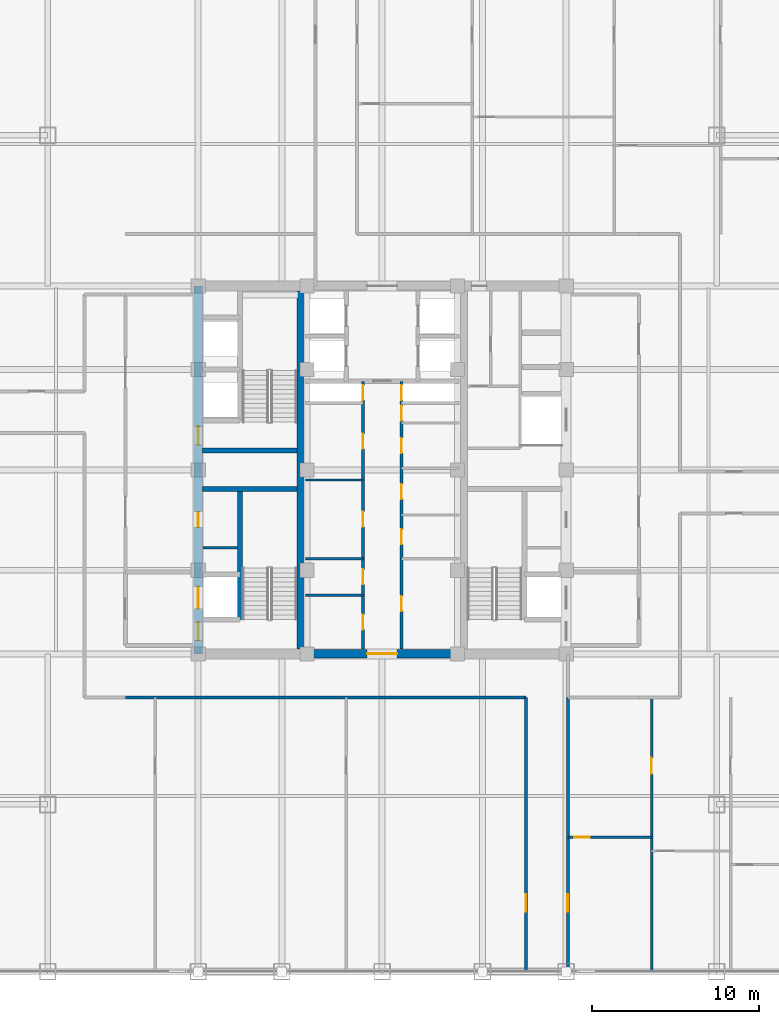
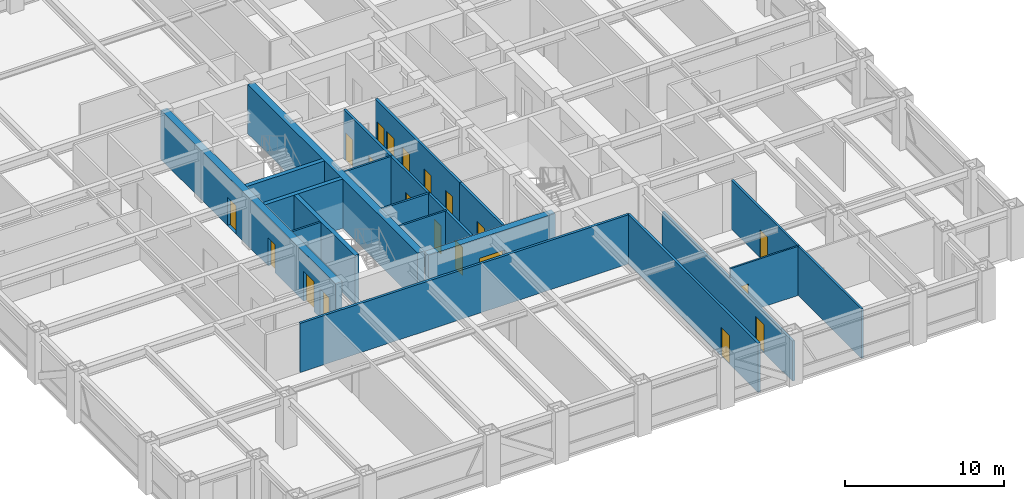
# One storey, part 20 of 25: 20 doors, 19 walls, 20 openings.
"""IFC4 building model written with IfcOpenShell, lengths in metres."""

from ifc_helpers import new_model, si_unit, direction, frame, frame_2d, origin, place, context, subcontext, project, spatial, rectangle, extrude, source, transform, mapped, material, layer, layer_set, type_object, element, fill, save


model = new_model("IFC4")

# Units and contexts
model_context = context("Model", 3, precision=1e-05, world=origin(), true_north=direction((0.0, 1.0)))
body_context = subcontext(model_context, "Body", "Model", "MODEL_VIEW")
ifc_project = project(units=[si_unit("LENGTHUNIT", "METRE"), si_unit("AREAUNIT", "SQUARE_METRE"), si_unit("VOLUMEUNIT", "CUBIC_METRE"), si_unit("PLANEANGLEUNIT", "RADIAN"), si_unit("MASSUNIT", "GRAM", prefix="KILO")], contexts=[model_context])

# Site, building, storey
site_placement = place(None, origin())
site = spatial("IfcSite", under=ifc_project, at=site_placement, CompositionType="ELEMENT")
building_placement = place(site_placement, origin())
building = spatial("IfcBuilding", under=site, at=building_placement, Name="Khorayat Bourse Tower", CompositionType="ELEMENT")
storey_placement = place(building_placement, frame((0.0, 0.0, 247.10009765625)))
storey = spatial("IfcBuildingStorey", under=building, at=storey_placement, Name="L58", CompositionType="ELEMENT", Elevation=247.10009765625)

# Wall
ifc_material_1 = material(Name="Concrete C52/65", Category="concrete")
ifc_layer_1 = layer(ifc_material_1, 0.5)
ifc_layer_set_1 = layer_set([ifc_layer_1], Name="Concrete C52/65")
wall_type_1 = type_object("IfcWallType", Name="WAL-CORE-500", PredefinedType="SHEAR", material=ifc_layer_set_1)
shared_shape_1 = source(origin(), body_context, "Body", "SweptSolid", [
    extrude(rectangle(XDim=21.39990234375, YDim=0.5, at=frame_2d((10.699951171875, 0.0))), origin(), (0.0, 0.0, 1.0), 3.77978515625),
])
wall_1_placement = place(storey_placement, frame((-4.85009765625, -10.699951171875, 0.0), z_axis=(0.0, 0.0, 1.0), x_axis=(0.0, 1.0, 0.0)))
element("IfcWall", 1, at=wall_1_placement, inside=storey, type_object=wall_type_1, Name="L58 Core Shear Wall PIER-W", PredefinedType="SHEAR", context=body_context, shape_type="MappedRepresentation", body=[
    mapped(shared_shape_1, transform((0.0, 0.0, 0.0), scale=1.0)),
])

# Wall, opening, door
shared_shape_2 = source(origin(), body_context, "Body", "SweptSolid", [
    extrude(rectangle(XDim=9.2001953125, YDim=0.5, at=frame_2d((4.60009765625, 0.0))), origin(), (0.0, 0.0, 1.0), 3.77978515625),
])
wall_2_placement = place(storey_placement, frame((-4.60009765625, -11.0, 0.0), z_axis=(0.0, 0.0, 1.0), x_axis=(1.0, 0.0, 0.0)))
wall_2 = element("IfcWall", 2, at=wall_2_placement, inside=storey, type_object=wall_type_1, Name="L58 Core Shear Wall CORE-S", PredefinedType="SHEAR", context=body_context, shape_type="MappedRepresentation", body=[
    mapped(shared_shape_2, transform((0.0, 0.0, 0.0), scale=1.0)),
])
shared_shape_3 = source(origin(), body_context, "Body", "SweptSolid", [
    extrude(rectangle(XDim=1.800048828125, YDim=2.25, at=frame_2d((0.89990234375, 1.125))), frame((0.0, 0.260009765625, 0.0), z_axis=(0.0, -1.0, 0.0), x_axis=(1.0, 0.0, 0.0)), (0.0, 0.0, 1.0), 0.52001953125),
])
opening_1_placement = place(wall_2_placement, frame((3.699951171875, 0.0, 0.0)))
opening_1 = element("IfcOpeningElement", 3, at=opening_1_placement, cuts=wall_2, Name="Opening DI-03", PredefinedType="OPENING", context=body_context, shape_type="MappedRepresentation", body=[
    mapped(shared_shape_3, transform((0.0, 0.0, 0.0), scale=1.0)),
])
ifc_material_2 = material(Name="Fire-rated hardwood vision-panel double leaf", Category="wood")
door_type_1 = type_object("IfcDoorType", Name="DR-INT-CORR-1800", OperationType="NOTDEFINED", PredefinedType="DOOR", material=ifc_material_2)
shared_shape_4 = source(origin(), body_context, "Body", "SweptSolid", [
    extrude(rectangle(XDim=1.800048828125, YDim=2.25, at=frame_2d((0.89990234375, 1.125))), frame((0.0, 0.02490234375, 0.0), z_axis=(0.0, -1.0, 0.0), x_axis=(1.0, 0.0, 0.0)), (0.0, 0.0, 1.0), 0.050048828125),
])
door_1_placement = place(opening_1_placement, origin())
door_1 = element("IfcDoor", 4, at=door_1_placement, inside=storey, type_object=door_type_1, Name="L58 Central Core South Passage Door", OperationType="SINGLE_SWING_LEFT", OverallHeight=2.25, OverallWidth=1.800048828125, PredefinedType="DOOR", context=body_context, shape_type="MappedRepresentation", body=[
    mapped(shared_shape_4, transform((0.0, 0.0, 0.0), scale=1.0)),
])
fill(opening_1, door_1)

# Wall, openings, doors
shared_shape_5 = source(origin(), body_context, "Body", "SweptSolid", [
    extrude(rectangle(XDim=22.0, YDim=0.5, at=frame_2d((11.0, 0.0))), origin(), (0.0, 0.0, 1.0), 3.77978515625),
])
wall_3_placement = place(storey_placement, frame((-11.0, -11.0, 0.0), z_axis=(0.0, 0.0, 1.0), x_axis=(0.0, 1.0, 0.0)))
wall_3 = element("IfcWall", 5, at=wall_3_placement, inside=storey, type_object=wall_type_1, Name="L58 Core Shear Wall CORE-W", PredefinedType="SHEAR", context=body_context, shape_type="MappedRepresentation", body=[
    mapped(shared_shape_5, transform((0.0, 0.0, 0.0), scale=1.0)),
])
shared_shape_6 = source(origin(), body_context, "Body", "SweptSolid", [
    extrude(rectangle(XDim=1.10009765625, YDim=2.199951171875, at=frame_2d((0.550048828125, 1.10009765625))), frame((0.0, 0.260009765625, 0.0), z_axis=(0.0, -1.0, 0.0), x_axis=(1.0, 0.0, 0.0)), (0.0, 0.0, 1.0), 0.52001953125),
])
opening_2_placement = place(wall_3_placement, frame((0.800048828125, 0.0, 0.0)))
opening_2 = element("IfcOpeningElement", 6, at=opening_2_placement, cuts=wall_3, Name="Opening DI-01", PredefinedType="OPENING", context=body_context, shape_type="MappedRepresentation", body=[
    mapped(shared_shape_6, transform((0.0, 0.0, 0.0), scale=1.0)),
])
opening_3_placement = place(wall_3_placement, frame((12.5, 0.0, 0.0)))
opening_3 = element("IfcOpeningElement", 7, at=opening_3_placement, cuts=wall_3, Name="Opening DI-01", PredefinedType="OPENING", context=body_context, shape_type="MappedRepresentation", body=[
    mapped(shared_shape_6, transform((0.0, 0.0, 0.0), scale=1.0)),
])
shared_shape_7 = source(origin(), body_context, "Body", "SweptSolid", [
    extrude(rectangle(XDim=0.89990234375, YDim=2.14990234375, at=frame_2d((0.449951171875, 1.074951171875))), frame((0.0, 0.260009765625, 0.0), z_axis=(0.0, -1.0, 0.0), x_axis=(1.0, 0.0, 0.0)), (0.0, 0.0, 1.0), 0.52001953125),
])
opening_4_placement = place(wall_3_placement, frame((7.574951171875, 0.0, 0.0)))
opening_4 = element("IfcOpeningElement", 8, at=opening_4_placement, cuts=wall_3, Name="Opening DI-06", PredefinedType="OPENING", context=body_context, shape_type="MappedRepresentation", body=[
    mapped(shared_shape_7, transform((0.0, 0.0, 0.0), scale=1.0)),
])
shared_shape_8 = source(origin(), body_context, "Body", "SweptSolid", [
    extrude(rectangle(XDim=1.300048828125, YDim=2.300048828125, at=frame_2d((0.64990234375, 1.14990234375))), frame((0.0, 0.260009765625, 0.0), z_axis=(0.0, -1.0, 0.0), x_axis=(1.0, 0.0, 0.0)), (0.0, 0.0, 1.0), 0.52001953125),
])
opening_5_placement = place(wall_3_placement, frame((2.699951171875, 0.0, 0.0)))
opening_5 = element("IfcOpeningElement", 9, at=opening_5_placement, cuts=wall_3, Name="Opening LD-02", PredefinedType="OPENING", context=body_context, shape_type="MappedRepresentation", body=[
    mapped(shared_shape_8, transform((0.0, 0.0, 0.0), scale=1.0)),
])
ifc_material_3 = material(Name="Fire-rated steel acoustic leaf", Category="steel")
door_type_2 = type_object("IfcDoorType", Name="DR-INT-STAIR-1100", OperationType="NOTDEFINED", PredefinedType="DOOR", material=ifc_material_3)
shared_shape_9 = source(origin(), body_context, "Body", "SweptSolid", [
    extrude(rectangle(XDim=1.10009765625, YDim=2.199951171875, at=frame_2d((0.550048828125, 1.10009765625))), frame((0.0, 0.02490234375, 0.0), z_axis=(0.0, -1.0, 0.0), x_axis=(1.0, 0.0, 0.0)), (0.0, 0.0, 1.0), 0.050048828125),
])
door_2_placement = place(opening_2_placement, origin())
door_2 = element("IfcDoor", 10, at=door_2_placement, inside=storey, type_object=door_type_2, Name="L58 Exit Stair 1 Door", OperationType="SINGLE_SWING_RIGHT", OverallHeight=2.199951171875, OverallWidth=1.10009765625, PredefinedType="DOOR", context=body_context, shape_type="MappedRepresentation", body=[
    mapped(shared_shape_9, transform((0.0, 0.0, 0.0), scale=1.0)),
])
fill(opening_2, door_2)
door_3_placement = place(opening_3_placement, origin())
door_3 = element("IfcDoor", 11, at=door_3_placement, inside=storey, type_object=door_type_2, Name="L58 Exit Stair 2 Door", OperationType="SINGLE_SWING_RIGHT", OverallHeight=2.199951171875, OverallWidth=1.10009765625, PredefinedType="DOOR", context=body_context, shape_type="MappedRepresentation", body=[
    mapped(shared_shape_9, transform((0.0, 0.0, 0.0), scale=1.0)),
])
fill(opening_3, door_3)
ifc_material_4 = material(Name="Moisture-resistant laminate washroom door")
door_type_3 = type_object("IfcDoorType", Name="DR-INT-WC-900", OperationType="NOTDEFINED", PredefinedType="DOOR", material=ifc_material_4)
shared_shape_10 = source(origin(), body_context, "Body", "SweptSolid", [
    extrude(rectangle(XDim=0.89990234375, YDim=2.14990234375, at=frame_2d((0.449951171875, 1.074951171875))), frame((0.0, 0.02490234375, 0.0), z_axis=(0.0, -1.0, 0.0), x_axis=(1.0, 0.0, 0.0)), (0.0, 0.0, 1.0), 0.050048828125),
])
door_4_placement = place(opening_4_placement, origin())
door_4 = element("IfcDoor", 12, at=door_4_placement, inside=storey, type_object=door_type_3, Name="L58 UPS Switch Plant Room Door", OperationType="SINGLE_SWING_RIGHT", OverallHeight=2.14990234375, OverallWidth=0.89990234375, PredefinedType="DOOR", context=body_context, shape_type="MappedRepresentation", body=[
    mapped(shared_shape_10, transform((0.0, 0.0, 0.0), scale=1.0)),
])
fill(opening_4, door_4)
ifc_material_5 = material(Name="Fire-rated stainless-steel sliding landing door", Category="steel")
door_type_4 = type_object("IfcDoorType", Name="DR-LIFT-FF-1300", OperationType="NOTDEFINED", PredefinedType="DOOR", material=ifc_material_5)
shared_shape_11 = source(origin(), body_context, "Body", "SweptSolid", [
    extrude(rectangle(XDim=1.300048828125, YDim=2.300048828125, at=frame_2d((0.64990234375, 1.14990234375))), frame((0.0, 0.02490234375, 0.0), z_axis=(0.0, -1.0, 0.0), x_axis=(1.0, 0.0, 0.0)), (0.0, 0.0, 1.0), 0.050048828125),
])
door_5_placement = place(opening_5_placement, origin())
door_5 = element("IfcDoor", 13, at=door_5_placement, inside=storey, type_object=door_type_4, Name="L58 Lift FFL-01 Sliding Landing Door", OperationType="SLIDING_TO_LEFT", OverallHeight=2.300048828125, OverallWidth=1.300048828125, PredefinedType="DOOR", context=body_context, shape_type="MappedRepresentation", body=[
    mapped(shared_shape_11, transform((0.0, 0.0, 0.0), scale=1.0)),
])
fill(opening_5, door_5)

# Walls
ifc_material_6 = material(Name="Concrete C50/60", Category="concrete")
ifc_layer_2 = layer(ifc_material_6, 0.300048828125)
ifc_layer_set_2 = layer_set([ifc_layer_2], Name="Concrete C50/60")
wall_type_2 = type_object("IfcWallType", Name="WAL-SHAFT-300", PredefinedType="SHEAR", material=ifc_layer_set_2)
shared_shape_12 = source(origin(), body_context, "Body", "SweptSolid", [
    extrude(rectangle(XDim=5.64990234375, YDim=0.300048828125, at=frame_2d((2.824951171875, 0.0))), origin(), (0.0, 0.0, 1.0), 3.77978515625),
])
for number, where, z_axis, x_axis, name in (
    (14, (-10.75, -1.14990234375, 0.0), (0.0, 0.0, 1.0), (1.0, 0.0, 0.0), "L58 Core Shear Wall ST1-DIV"),
    (15, (-10.75, 1.14990234375, 0.0), (0.0, 0.0, 1.0), (1.0, 0.0, 0.0), "L58 Core Shear Wall ST2-DIV"),
):
    element("IfcWall", number, at=place(storey_placement, frame(where, z_axis=z_axis, x_axis=x_axis)), inside=storey, type_object=wall_type_2, Name=name, PredefinedType="SHEAR", context=body_context, shape_type="MappedRepresentation", body=[
        mapped(shared_shape_12, transform((0.0, 0.0, 0.0), scale=1.0)),
    ])
shared_shape_13 = source(origin(), body_context, "Body", "SweptSolid", [
    extrude(rectangle(XDim=7.800048828125, YDim=0.300048828125, at=frame_2d((3.89990234375, 0.0))), origin(), (0.0, 0.0, 1.0), 3.77978515625),
])
wall_4_placement = place(storey_placement, frame((-8.5, -8.949951171875, 0.0), z_axis=(0.0, 0.0, 1.0), x_axis=(0.0, 1.0, 0.0)))
element("IfcWall", 16, at=wall_4_placement, inside=storey, type_object=wall_type_2, Name="L58 Partition WAL-L58-WPIER-SP", PredefinedType="SHEAR", context=body_context, shape_type="MappedRepresentation", body=[
    mapped(shared_shape_13, transform((0.0, 0.0, 0.0), scale=1.0)),
])
ifc_material_7 = material(Name="Gypsum plasterboard twin-frame partition")
ifc_layer_3 = layer(ifc_material_7, 0.14990234375)
ifc_layer_set_3 = layer_set([ifc_layer_3], Name="Gypsum plasterboard twin-frame partition")
wall_type_3 = type_object("IfcWallType", Name="WAL-PART-SUITE-150", PredefinedType="PARTITIONING", material=ifc_layer_set_3)
shared_shape_14 = source(origin(), body_context, "Body", "SweptSolid", [
    extrude(rectangle(XDim=2.050048828125, YDim=0.14990234375, at=frame_2d((1.02490234375, 0.0))), origin(), (0.0, 0.0, 1.0), 3.77978515625),
])
wall_5_placement = place(storey_placement, frame((-10.699951171875, -4.64990234375, 0.0), z_axis=(0.0, 0.0, 1.0), x_axis=(1.0, 0.0, 0.0)))
element("IfcWall", 17, at=wall_5_placement, inside=storey, type_object=wall_type_3, Name="L58 Partition WAL-L58-WSRV-S0", PredefinedType="PARTITIONING", context=body_context, shape_type="MappedRepresentation", body=[
    mapped(shared_shape_14, transform((0.0, 0.0, 0.0), scale=1.0)),
])
shared_shape_15 = source(origin(), body_context, "Body", "SweptSolid", [
    extrude(rectangle(XDim=3.4501953125, YDim=0.14990234375, at=frame_2d((1.72509765625, 0.0))), origin(), (0.0, 0.0, 1.0), 3.77978515625),
])
wall_6_placement = place(storey_placement, frame((-4.60009765625, -5.300048828125, 0.0), z_axis=(0.0, 0.0, 1.0), x_axis=(1.0, 0.0, 0.0)))
element("IfcWall", 18, at=wall_6_placement, inside=storey, type_object=wall_type_3, Name="L58 Partition WAL-L58-FB1-NW", PredefinedType="PARTITIONING", context=body_context, shape_type="MappedRepresentation", body=[
    mapped(shared_shape_15, transform((0.0, 0.0, 0.0), scale=1.0)),
])
ifc_material_8 = material(Name="Moisture-resistant masonry partition", Category="masonry")
ifc_layer_4 = layer(ifc_material_8, 0.139892578125)
ifc_layer_set_4 = layer_set([ifc_layer_4], Name="Moisture-resistant masonry partition")
wall_type_4 = type_object("IfcWallType", Name="WAL-PART-WET-140", PredefinedType="PARTITIONING", material=ifc_layer_set_4)
shared_shape_16 = source(origin(), body_context, "Body", "SweptSolid", [
    extrude(rectangle(XDim=3.4501953125, YDim=0.139892578125, at=frame_2d((1.72509765625, 0.0))), origin(), (0.0, 0.0, 1.0), 3.77978515625),
])
for number, where, z_axis, x_axis, name in (
    (19, (-4.60009765625, -7.5, 0.0), (0.0, 0.0, 1.0), (1.0, 0.0, 0.0), "L58 Partition WAL-L58-FB1W-D1"),
    (20, (-4.60009765625, -0.60009765625, 0.0), (0.0, 0.0, 1.0), (1.0, 0.0, 0.0), "L58 Partition WAL-L58-CMW-D1"),
):
    element("IfcWall", number, at=place(storey_placement, frame(where, z_axis=z_axis, x_axis=x_axis)), inside=storey, type_object=wall_type_4, Name=name, PredefinedType="PARTITIONING", context=body_context, shape_type="MappedRepresentation", body=[
        mapped(shared_shape_16, transform((0.0, 0.0, 0.0), scale=1.0)),
    ])

# Wall, openings, doors
ifc_material_9 = material(Name="Gypsum plasterboard acoustic stud wall")
ifc_layer_5 = layer(ifc_material_9, 0.179931640625)
ifc_layer_set_5 = layer_set([ifc_layer_5], Name="Gypsum plasterboard acoustic stud wall")
wall_type_5 = type_object("IfcWallType", Name="WAL-PART-CORR-180", PredefinedType="PARTITIONING", material=ifc_layer_set_5)
shared_shape_17 = source(origin(), body_context, "Body", "SweptSolid", [
    extrude(rectangle(XDim=5.39990234375, YDim=0.179931640625, at=frame_2d((2.699951171875, 0.0))), origin(), (0.0, 0.0, 1.0), 3.77978515625),
])
wall_7_placement = place(storey_placement, frame((-1.14990234375, -10.699951171875, 0.0), z_axis=(0.0, 0.0, 1.0), x_axis=(0.0, 1.0, 0.0)))
wall_7 = element("IfcWall", 21, at=wall_7_placement, inside=storey, type_object=wall_type_5, Name="L58 Partition WAL-L58-FB1W-L", PredefinedType="PARTITIONING", context=body_context, shape_type="MappedRepresentation", body=[
    mapped(shared_shape_17, transform((0.0, 0.0, 0.0), scale=1.0)),
])
shared_shape_18 = source(origin(), body_context, "Body", "SweptSolid", [
    extrude(rectangle(XDim=0.89990234375, YDim=2.14990234375, at=frame_2d((0.449951171875, 1.074951171875))), frame((0.0, 0.099853515625, 0.0), z_axis=(0.0, -1.0, 0.0), x_axis=(1.0, 0.0, 0.0)), (0.0, 0.0, 1.0), 0.199951171875),
])
opening_6_placement = place(wall_7_placement, frame((1.14990234375, 0.0, 0.0)))
opening_6 = element("IfcOpeningElement", 22, at=opening_6_placement, cuts=wall_7, Name="Opening DI-06", PredefinedType="OPENING", context=body_context, shape_type="MappedRepresentation", body=[
    mapped(shared_shape_18, transform((0.0, 0.0, 0.0), scale=1.0)),
])
opening_7_placement = place(wall_7_placement, frame((3.85009765625, 0.0, 0.0)))
opening_7 = element("IfcOpeningElement", 23, at=opening_7_placement, cuts=wall_7, Name="Opening DI-06", PredefinedType="OPENING", context=body_context, shape_type="MappedRepresentation", body=[
    mapped(shared_shape_18, transform((0.0, 0.0, 0.0), scale=1.0)),
])
door_6_placement = place(opening_6_placement, origin())
door_6 = element("IfcDoor", 24, at=door_6_placement, inside=storey, type_object=door_type_3, Name="L58 Records Vault Store Door", OperationType="SINGLE_SWING_RIGHT", OverallHeight=2.14990234375, OverallWidth=0.89990234375, PredefinedType="DOOR", context=body_context, shape_type="MappedRepresentation", body=[
    mapped(shared_shape_10, transform((0.0, 0.0, 0.0), scale=1.0)),
])
fill(opening_6, door_6)
door_7_placement = place(opening_7_placement, origin())
door_7 = element("IfcDoor", 25, at=door_7_placement, inside=storey, type_object=door_type_3, Name="L58 Sprinkler Valve Plant Room Door", OperationType="SINGLE_SWING_LEFT", OverallHeight=2.14990234375, OverallWidth=0.89990234375, PredefinedType="DOOR", context=body_context, shape_type="MappedRepresentation", body=[
    mapped(shared_shape_10, transform((0.0, 0.0, 0.0), scale=1.0)),
])
fill(opening_7, door_7)

# Wall, opening, door
wall_8_placement = place(storey_placement, frame((1.14990234375, -10.699951171875, 0.0), z_axis=(0.0, 0.0, 1.0), x_axis=(0.0, 1.0, 0.0)))
wall_8 = element("IfcWall", 26, at=wall_8_placement, inside=storey, type_object=wall_type_5, Name="L58 Partition WAL-L58-FB1E-L", PredefinedType="PARTITIONING", context=body_context, shape_type="MappedRepresentation", body=[
    mapped(shared_shape_17, transform((0.0, 0.0, 0.0), scale=1.0)),
])
opening_8_placement = place(wall_8_placement, frame((2.25, 0.0, 0.0)))
opening_8 = element("IfcOpeningElement", 27, at=opening_8_placement, cuts=wall_8, Name="Opening DI-06", PredefinedType="OPENING", context=body_context, shape_type="MappedRepresentation", body=[
    mapped(shared_shape_18, transform((0.0, 0.0, 0.0), scale=1.0)),
])
door_8_placement = place(opening_8_placement, origin())
door_8 = element("IfcDoor", 28, at=door_8_placement, inside=storey, type_object=door_type_3, Name="L58 Telemetry Server Plant Room Door", OperationType="SINGLE_SWING_RIGHT", OverallHeight=2.14990234375, OverallWidth=0.89990234375, PredefinedType="DOOR", context=body_context, shape_type="MappedRepresentation", body=[
    mapped(shared_shape_10, transform((0.0, 0.0, 0.0), scale=1.0)),
])
fill(opening_8, door_8)

# Wall, openings, doors
shared_shape_19 = source(origin(), body_context, "Body", "SweptSolid", [
    extrude(rectangle(XDim=10.60009765625, YDim=0.179931640625, at=frame_2d((5.300048828125, 0.0))), origin(), (0.0, 0.0, 1.0), 3.77978515625),
])
wall_9_placement = place(storey_placement, frame((-1.14990234375, -5.300048828125, 0.0), z_axis=(0.0, 0.0, 1.0), x_axis=(0.0, 1.0, 0.0)))
wall_9 = element("IfcWall", 29, at=wall_9_placement, inside=storey, type_object=wall_type_5, Name="L58 Partition WAL-L58-CMW-L", PredefinedType="PARTITIONING", context=body_context, shape_type="MappedRepresentation", body=[
    mapped(shared_shape_19, transform((0.0, 0.0, 0.0), scale=1.0)),
])
opening_9_placement = place(wall_9_placement, frame((1.89990234375, 0.0, 0.0)))
opening_9 = element("IfcOpeningElement", 30, at=opening_9_placement, cuts=wall_9, Name="Opening DI-06", PredefinedType="OPENING", context=body_context, shape_type="MappedRepresentation", body=[
    mapped(shared_shape_18, transform((0.0, 0.0, 0.0), scale=1.0)),
])
opening_10_placement = place(wall_9_placement, frame((6.550048828125, 0.0, 0.0)))
opening_10 = element("IfcOpeningElement", 31, at=opening_10_placement, cuts=wall_9, Name="Opening DI-06", PredefinedType="OPENING", context=body_context, shape_type="MappedRepresentation", body=[
    mapped(shared_shape_18, transform((0.0, 0.0, 0.0), scale=1.0)),
])
opening_11_placement = place(wall_9_placement, frame((9.47509765625, 0.0, 0.0)))
opening_11 = element("IfcOpeningElement", 32, at=opening_11_placement, cuts=wall_9, Name="Opening DI-06", PredefinedType="OPENING", context=body_context, shape_type="MappedRepresentation", body=[
    mapped(shared_shape_18, transform((0.0, 0.0, 0.0), scale=1.0)),
])
door_9_placement = place(opening_9_placement, origin())
door_9 = element("IfcDoor", 33, at=door_9_placement, inside=storey, type_object=door_type_3, Name="L58 Male Core Washroom Door", OperationType="SINGLE_SWING_RIGHT", OverallHeight=2.14990234375, OverallWidth=0.89990234375, PredefinedType="DOOR", context=body_context, shape_type="MappedRepresentation", body=[
    mapped(shared_shape_10, transform((0.0, 0.0, 0.0), scale=1.0)),
])
fill(opening_9, door_9)
door_10_placement = place(opening_10_placement, origin())
door_10 = element("IfcDoor", 34, at=door_10_placement, inside=storey, type_object=door_type_3, Name="L58 Chilled Water Riser Plant Room Door", OperationType="SINGLE_SWING_LEFT", OverallHeight=2.14990234375, OverallWidth=0.89990234375, PredefinedType="DOOR", context=body_context, shape_type="MappedRepresentation", body=[
    mapped(shared_shape_10, transform((0.0, 0.0, 0.0), scale=1.0)),
])
fill(opening_10, door_10)
door_11_placement = place(opening_11_placement, origin())
door_11 = element("IfcDoor", 35, at=door_11_placement, inside=storey, type_object=door_type_3, Name="L58 West Core Riser Door", OperationType="SINGLE_SWING_LEFT", OverallHeight=2.14990234375, OverallWidth=0.89990234375, PredefinedType="DOOR", context=body_context, shape_type="MappedRepresentation", body=[
    mapped(shared_shape_10, transform((0.0, 0.0, 0.0), scale=1.0)),
])
fill(opening_11, door_11)

wall_10_placement = place(storey_placement, frame((1.14990234375, -5.300048828125, 0.0), z_axis=(0.0, 0.0, 1.0), x_axis=(0.0, 1.0, 0.0)))
wall_10 = element("IfcWall", 36, at=wall_10_placement, inside=storey, type_object=wall_type_5, Name="L58 Partition WAL-L58-CME-L", PredefinedType="PARTITIONING", context=body_context, shape_type="MappedRepresentation", body=[
    mapped(shared_shape_19, transform((0.0, 0.0, 0.0), scale=1.0)),
])
opening_12_placement = place(wall_10_placement, frame((0.85009765625, 0.0, 0.0)))
opening_12 = element("IfcOpeningElement", 37, at=opening_12_placement, cuts=wall_10, Name="Opening DI-06", PredefinedType="OPENING", context=body_context, shape_type="MappedRepresentation", body=[
    mapped(shared_shape_18, transform((0.0, 0.0, 0.0), scale=1.0)),
])
opening_13_placement = place(wall_10_placement, frame((3.550048828125, 0.0, 0.0)))
opening_13 = element("IfcOpeningElement", 38, at=opening_13_placement, cuts=wall_10, Name="Opening DI-06", PredefinedType="OPENING", context=body_context, shape_type="MappedRepresentation", body=[
    mapped(shared_shape_18, transform((0.0, 0.0, 0.0), scale=1.0)),
])
opening_14_placement = place(wall_10_placement, frame((6.300048828125, 0.0, 0.0)))
opening_14 = element("IfcOpeningElement", 39, at=opening_14_placement, cuts=wall_10, Name="Opening DI-06", PredefinedType="OPENING", context=body_context, shape_type="MappedRepresentation", body=[
    mapped(shared_shape_18, transform((0.0, 0.0, 0.0), scale=1.0)),
])
opening_15_placement = place(wall_10_placement, frame((8.25, 0.0, 0.0)))
opening_15 = element("IfcOpeningElement", 40, at=opening_15_placement, cuts=wall_10, Name="Opening DI-06", PredefinedType="OPENING", context=body_context, shape_type="MappedRepresentation", body=[
    mapped(shared_shape_18, transform((0.0, 0.0, 0.0), scale=1.0)),
])
opening_16_placement = place(wall_10_placement, frame((9.47509765625, 0.0, 0.0)))
opening_16 = element("IfcOpeningElement", 41, at=opening_16_placement, cuts=wall_10, Name="Opening DI-06", PredefinedType="OPENING", context=body_context, shape_type="MappedRepresentation", body=[
    mapped(shared_shape_18, transform((0.0, 0.0, 0.0), scale=1.0)),
])
door_12_placement = place(opening_12_placement, origin())
door_12 = element("IfcDoor", 42, at=door_12_placement, inside=storey, type_object=door_type_3, Name="L58 Female Core Washroom Door", OperationType="SINGLE_SWING_RIGHT", OverallHeight=2.14990234375, OverallWidth=0.89990234375, PredefinedType="DOOR", context=body_context, shape_type="MappedRepresentation", body=[
    mapped(shared_shape_10, transform((0.0, 0.0, 0.0), scale=1.0)),
])
fill(opening_12, door_12)
door_13_placement = place(opening_13_placement, origin())
door_13 = element("IfcDoor", 43, at=door_13_placement, inside=storey, type_object=door_type_3, Name="L58 Comms Patch Room Door", OperationType="SINGLE_SWING_LEFT", OverallHeight=2.14990234375, OverallWidth=0.89990234375, PredefinedType="DOOR", context=body_context, shape_type="MappedRepresentation", body=[
    mapped(shared_shape_10, transform((0.0, 0.0, 0.0), scale=1.0)),
])
fill(opening_13, door_13)
door_14_placement = place(opening_14_placement, origin())
door_14 = element("IfcDoor", 44, at=door_14_placement, inside=storey, type_object=door_type_3, Name="L58 Janitor Cupboard Door", OperationType="SINGLE_SWING_RIGHT", OverallHeight=2.14990234375, OverallWidth=0.89990234375, PredefinedType="DOOR", context=body_context, shape_type="MappedRepresentation", body=[
    mapped(shared_shape_10, transform((0.0, 0.0, 0.0), scale=1.0)),
])
fill(opening_14, door_14)
door_15_placement = place(opening_15_placement, origin())
door_15 = element("IfcDoor", 45, at=door_15_placement, inside=storey, type_object=door_type_3, Name="L58 Fire Valve Plant Room Door", OperationType="SINGLE_SWING_LEFT", OverallHeight=2.14990234375, OverallWidth=0.89990234375, PredefinedType="DOOR", context=body_context, shape_type="MappedRepresentation", body=[
    mapped(shared_shape_10, transform((0.0, 0.0, 0.0), scale=1.0)),
])
fill(opening_15, door_15)
door_16_placement = place(opening_16_placement, origin())
door_16 = element("IfcDoor", 46, at=door_16_placement, inside=storey, type_object=door_type_3, Name="L58 East Core Riser Door", OperationType="SINGLE_SWING_RIGHT", OverallHeight=2.14990234375, OverallWidth=0.89990234375, PredefinedType="DOOR", context=body_context, shape_type="MappedRepresentation", body=[
    mapped(shared_shape_10, transform((0.0, 0.0, 0.0), scale=1.0)),
])
fill(opening_16, door_16)

# Wall, opening, door
shared_shape_20 = source(origin(), body_context, "Body", "SweptSolid", [
    extrude(rectangle(XDim=16.39990234375, YDim=0.14990234375, at=frame_2d((8.199951171875, 0.0))), origin(), (0.0, 0.0, 1.0), 3.77978515625),
])
wall_11_placement = place(storey_placement, frame((16.10400390625, -30.0, 0.0), z_axis=(0.0, 0.0, 1.0), x_axis=(0.0, 1.0, 0.0)))
wall_11 = element("IfcWall", 47, at=wall_11_placement, inside=storey, type_object=wall_type_3, Name="L58 Partition WAL-L58-QSEDV-1", PredefinedType="PARTITIONING", context=body_context, shape_type="MappedRepresentation", body=[
    mapped(shared_shape_20, transform((0.0, 0.0, 0.0), scale=1.0)),
])
shared_shape_21 = source(origin(), body_context, "Body", "SweptSolid", [
    extrude(rectangle(XDim=0.949951171875, YDim=2.14990234375, at=frame_2d((0.47509765625, 1.074951171875))), frame((0.0, 0.0849609375, 0.0), z_axis=(0.0, -1.0, 0.0), x_axis=(1.0, 0.0, 0.0)), (0.0, 0.0, 1.0), 0.169921875),
])
opening_17_placement = place(wall_11_placement, frame((11.824951171875, 0.0, 0.0)))
opening_17 = element("IfcOpeningElement", 48, at=opening_17_placement, cuts=wall_11, Name="Opening DI-05", PredefinedType="OPENING", context=body_context, shape_type="MappedRepresentation", body=[
    mapped(shared_shape_21, transform((0.0, 0.0, 0.0), scale=1.0)),
])
ifc_material_10 = material(Name="Acoustic oak veneer office door")
door_type_5 = type_object("IfcDoorType", Name="DR-INT-OFFICE-950", OperationType="NOTDEFINED", PredefinedType="DOOR", material=ifc_material_10)
shared_shape_22 = source(origin(), body_context, "Body", "SweptSolid", [
    extrude(rectangle(XDim=0.949951171875, YDim=2.14990234375, at=frame_2d((0.47509765625, 1.074951171875))), frame((0.0, 0.02490234375, 0.0), z_axis=(0.0, -1.0, 0.0), x_axis=(1.0, 0.0, 0.0)), (0.0, 0.0, 1.0), 0.050048828125),
])
door_17_placement = place(opening_17_placement, origin())
door_17 = element("IfcDoor", 49, at=door_17_placement, inside=storey, type_object=door_type_5, Name="L58 South-East Suite Link 1", OperationType="SINGLE_SWING_RIGHT", OverallHeight=2.14990234375, OverallWidth=0.949951171875, PredefinedType="DOOR", context=body_context, shape_type="MappedRepresentation", body=[
    mapped(shared_shape_22, transform((0.0, 0.0, 0.0), scale=1.0)),
])
fill(opening_17, door_17)

shared_shape_23 = source(origin(), body_context, "Body", "SweptSolid", [
    extrude(rectangle(XDim=16.39990234375, YDim=0.179931640625, at=frame_2d((8.199951171875, 0.0))), origin(), (0.0, 0.0, 1.0), 3.77978515625),
])
wall_12_placement = place(storey_placement, frame((8.60009765625, -30.0, 0.0), z_axis=(0.0, 0.0, 1.0), x_axis=(0.0, 1.0, 0.0)))
wall_12 = element("IfcWall", 50, at=wall_12_placement, inside=storey, type_object=wall_type_5, Name="L58 Partition WAL-L58-QSW-SPK", PredefinedType="PARTITIONING", context=body_context, shape_type="MappedRepresentation", body=[
    mapped(shared_shape_23, transform((0.0, 0.0, 0.0), scale=1.0)),
])
shared_shape_24 = source(origin(), body_context, "Body", "SweptSolid", [
    extrude(rectangle(XDim=1.050048828125, YDim=2.199951171875, at=frame_2d((0.52490234375, 1.10009765625))), frame((0.0, 0.099853515625, 0.0), z_axis=(0.0, -1.0, 0.0), x_axis=(1.0, 0.0, 0.0)), (0.0, 0.0, 1.0), 0.199951171875),
])
opening_18_placement = place(wall_12_placement, frame((3.574951171875, 0.0, 0.0)))
opening_18 = element("IfcOpeningElement", 51, at=opening_18_placement, cuts=wall_12, Name="Opening DI-04", PredefinedType="OPENING", context=body_context, shape_type="MappedRepresentation", body=[
    mapped(shared_shape_24, transform((0.0, 0.0, 0.0), scale=1.0)),
])
ifc_material_11 = material(Name="Fire-rated oak veneer suite entrance door")
door_type_6 = type_object("IfcDoorType", Name="DR-INT-SUITE-1050", OperationType="NOTDEFINED", PredefinedType="DOOR", material=ifc_material_11)
shared_shape_25 = source(origin(), body_context, "Body", "SweptSolid", [
    extrude(rectangle(XDim=1.050048828125, YDim=2.199951171875, at=frame_2d((0.52490234375, 1.10009765625))), frame((0.0, 0.02490234375, 0.0), z_axis=(0.0, -1.0, 0.0), x_axis=(1.0, 0.0, 0.0)), (0.0, 0.0, 1.0), 0.050048828125),
])
door_18_placement = place(opening_18_placement, origin())
door_18 = element("IfcDoor", 52, at=door_18_placement, inside=storey, type_object=door_type_6, Name="L58 South-West Radial Spoke Entry", OperationType="SINGLE_SWING_LEFT", OverallHeight=2.199951171875, OverallWidth=1.050048828125, PredefinedType="DOOR", context=body_context, shape_type="MappedRepresentation", body=[
    mapped(shared_shape_25, transform((0.0, 0.0, 0.0), scale=1.0)),
])
fill(opening_18, door_18)

# Wall
shared_shape_26 = source(origin(), body_context, "Body", "SweptSolid", [
    extrude(rectangle(XDim=23.9501953125, YDim=0.179931640625, at=frame_2d((11.97509765625, 0.0))), origin(), (0.0, 0.0, 1.0), 3.77978515625),
])
wall_13_placement = place(storey_placement, frame((-15.35009765625, -13.60009765625, 0.0), z_axis=(0.0, 0.0, 1.0), x_axis=(1.0, 0.0, 0.0)))
element("IfcWall", 53, at=wall_13_placement, inside=storey, type_object=wall_type_5, Name="L58 Partition WAL-L58-QSW-HC", PredefinedType="PARTITIONING", context=body_context, shape_type="MappedRepresentation", body=[
    mapped(shared_shape_26, transform((0.0, 0.0, 0.0), scale=1.0)),
])

# Wall, opening, door
ifc_material_12 = material(Name="Gypsum plasterboard partition")
ifc_layer_6 = layer(ifc_material_12, 0.125)
ifc_layer_set_6 = layer_set([ifc_layer_6], Name="Gypsum plasterboard partition")
wall_type_6 = type_object("IfcWallType", Name="WAL-PART-ROOM-125", PredefinedType="PARTITIONING", material=ifc_layer_set_6)
shared_shape_27 = source(origin(), body_context, "Body", "SweptSolid", [
    extrude(rectangle(XDim=5.00390625, YDim=0.125, at=frame_2d((2.501953125, 0.0))), origin(), (0.0, 0.0, 1.0), 3.77978515625),
])
wall_14_placement = place(storey_placement, frame((11.10009765625, -21.964111328125, 0.0), z_axis=(0.0, 0.0, 1.0), x_axis=(1.0, 0.0, 0.0)))
wall_14 = element("IfcWall", 54, at=wall_14_placement, inside=storey, type_object=wall_type_6, Name="L58 Partition WAL-L58-QSEDP-1", PredefinedType="PARTITIONING", context=body_context, shape_type="MappedRepresentation", body=[
    mapped(shared_shape_27, transform((0.0, 0.0, 0.0), scale=1.0)),
])
shared_shape_28 = source(origin(), body_context, "Body", "SweptSolid", [
    extrude(rectangle(XDim=0.949951171875, YDim=2.14990234375, at=frame_2d((0.47509765625, 1.074951171875))), frame((0.0, 0.072509765625, 0.0), z_axis=(0.0, -1.0, 0.0), x_axis=(1.0, 0.0, 0.0)), (0.0, 0.0, 1.0), 0.14501953125),
])
opening_19_placement = place(wall_14_placement, frame((0.375, 0.0, 0.0)))
opening_19 = element("IfcOpeningElement", 55, at=opening_19_placement, cuts=wall_14, Name="Opening DI-05", PredefinedType="OPENING", context=body_context, shape_type="MappedRepresentation", body=[
    mapped(shared_shape_28, transform((0.0, 0.0, 0.0), scale=1.0)),
])
door_19_placement = place(opening_19_placement, origin())
door_19 = element("IfcDoor", 56, at=door_19_placement, inside=storey, type_object=door_type_5, Name="L58 South-East Market Committee Conference Room 1B Door", OperationType="SINGLE_SWING_RIGHT", OverallHeight=2.14990234375, OverallWidth=0.949951171875, PredefinedType="DOOR", context=body_context, shape_type="MappedRepresentation", body=[
    mapped(shared_shape_22, transform((0.0, 0.0, 0.0), scale=1.0)),
])
fill(opening_19, door_19)

shared_shape_29 = source(origin(), body_context, "Body", "SweptSolid", [
    extrude(rectangle(XDim=16.39990234375, YDim=0.179931640625, at=frame_2d((8.199951171875, 0.0))), origin(), (0.0, 0.0, 1.0), 3.0849609375),
])
wall_15_placement = place(storey_placement, frame((11.10009765625, -30.0, 0.0), z_axis=(0.0, 0.0, 1.0), x_axis=(0.0, 1.0, 0.0)))
wall_15 = element("IfcWall", 57, at=wall_15_placement, inside=storey, type_object=wall_type_5, Name="L58 Partition WAL-L58-QSE-SPK", PredefinedType="PARTITIONING", context=body_context, shape_type="MappedRepresentation", body=[
    mapped(shared_shape_29, transform((0.0, 0.0, 0.0), scale=1.0)),
])
opening_20_placement = place(wall_15_placement, frame((3.574951171875, 0.0, 0.0)))
opening_20 = element("IfcOpeningElement", 58, at=opening_20_placement, cuts=wall_15, Name="Opening DI-04", PredefinedType="OPENING", context=body_context, shape_type="MappedRepresentation", body=[
    mapped(shared_shape_24, transform((0.0, 0.0, 0.0), scale=1.0)),
])
door_20_placement = place(opening_20_placement, origin())
door_20 = element("IfcDoor", 59, at=door_20_placement, inside=storey, type_object=door_type_6, Name="L58 South-East Radial Spoke Entry", OperationType="SINGLE_SWING_LEFT", OverallHeight=2.199951171875, OverallWidth=1.050048828125, PredefinedType="DOOR", context=body_context, shape_type="MappedRepresentation", body=[
    mapped(shared_shape_25, transform((0.0, 0.0, 0.0), scale=1.0)),
])
fill(opening_20, door_20)

save(model, "model.ifc")
